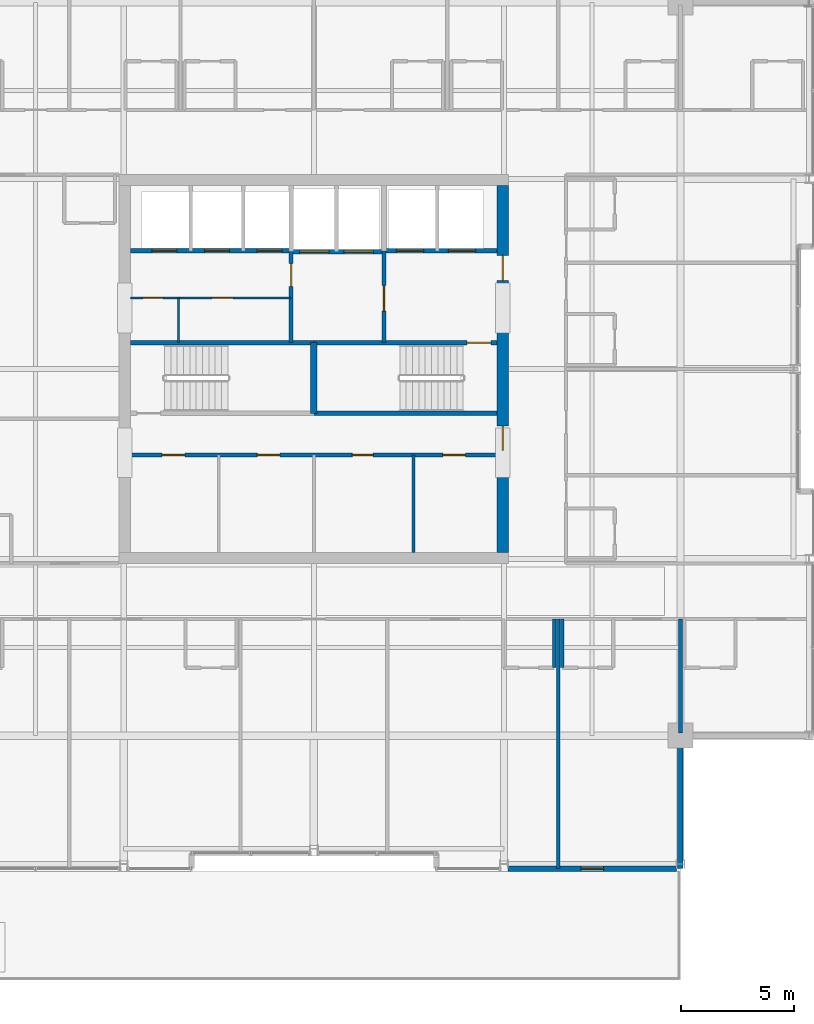
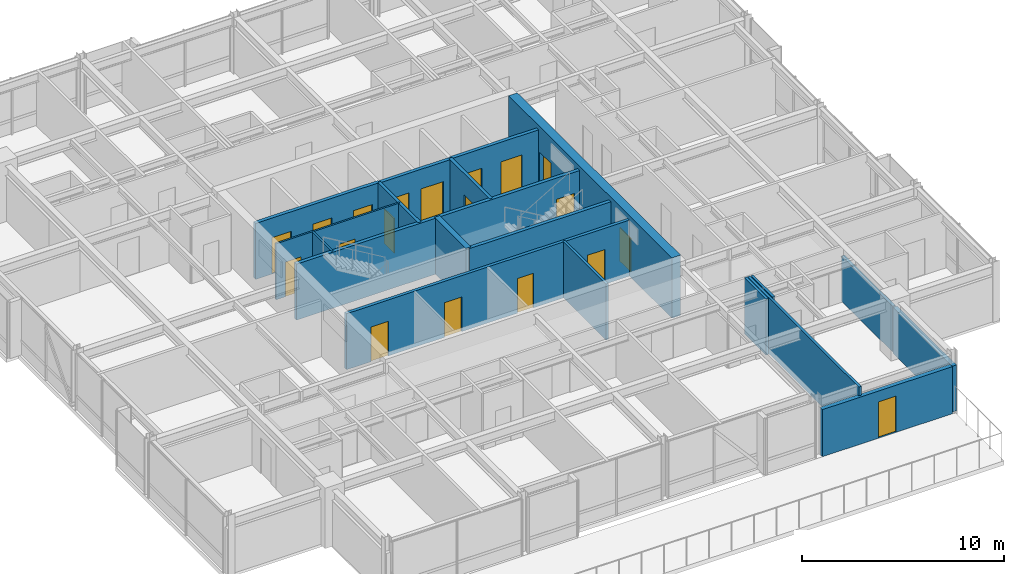
# One storey, part 26 of 32: 20 walls, 19 doors, 19 openings.
"""IFC4 building model written with IfcOpenShell, lengths in metres."""

import ifcopenshell
import ifcopenshell.guid

model = None  # the IFC model being written
_history = None  # IfcOwnerHistory: only IFC2X3 demands one
_inside = {}  # id of a spatial element -> (the spatial element, [elements in it])
_under = {}  # id of a project, library or spatial element -> (it, [spatial elements below it])
_declared = {}  # id of a project -> (the project, [libraries it declares])
_typed = {}  # id of a type object -> (the type object, [elements of that type])
_made_of = {}  # id of a material, layer set ... -> (it, [elements and type objects made of it])


def new_model(schema):
    """Start an empty IFC model of exactly this schema.

    Asked for "IFC4X3", IfcOpenShell would pick the latest addendum, in which some entities
    have other attributes; the version numbers below select the first issue.
    IFC2X3 requires an IfcOwnerHistory on every rooted entity: one is made here for all.
    """
    global model, _history
    if schema == "IFC4X3":
        model = ifcopenshell.file(schema_version=(4, 3, 0, 0))
    else:
        model = ifcopenshell.file(schema=schema)
    _inside.clear()
    _under.clear()
    _declared.clear()
    _typed.clear()
    _made_of.clear()
    _history = None
    if model.schema == "IFC2X3":
        org = make("IfcOrganization", Name="unknown")
        user = make(
            "IfcPersonAndOrganization",
            ThePerson=make("IfcPerson", FamilyName="unknown"),
            TheOrganization=org,
        )
        app = make(
            "IfcApplication",
            ApplicationDeveloper=org,
            Version="unknown",
            ApplicationFullName="unknown",
            ApplicationIdentifier="unknown",
        )
        _history = make(
            "IfcOwnerHistory",
            OwningUser=user,
            OwningApplication=app,
            ChangeAction="ADDED",
            CreationDate=0,
        )
    return model


def make(cls, **values):
    """One entity of the class cls with the attributes given. An attribute that is None is left unset."""
    return model.create_entity(
        cls, **{name: value for name, value in values.items() if value is not None}
    )


def rooted(cls, **values):
    """An entity with a GlobalId (a new one), such as an element, a storey or a relation."""
    return make(cls, GlobalId=ifcopenshell.guid.new(), OwnerHistory=_history, **values)


def si_unit(unit_type, name, prefix=None):
    """IfcSIUnit, for example si_unit("LENGTHUNIT", "METRE", prefix="MILLI")."""
    return make("IfcSIUnit", UnitType=unit_type, Prefix=prefix, Name=name)


def assignment(units):
    """IfcUnitAssignment: the units of a project."""
    return None if units is None else make("IfcUnitAssignment", Units=units)


def point(xyz):
    """IfcCartesianPoint."""
    return None if xyz is None else make("IfcCartesianPoint", Coordinates=xyz)


def direction(xyz):
    """IfcDirection."""
    return None if xyz is None else make("IfcDirection", DirectionRatios=xyz)


def frame(location, z_axis=None, x_axis=None):
    """IfcAxis2Placement3D, a coordinate frame: its origin and axes. An axis left out is left unset."""
    return make(
        "IfcAxis2Placement3D",
        Location=point(location),
        Axis=direction(z_axis),
        RefDirection=direction(x_axis),
    )


def frame_2d(location, x_axis=None):
    """IfcAxis2Placement2D, a coordinate frame in the plane: its origin and x axis."""
    return make(
        "IfcAxis2Placement2D", Location=point(location), RefDirection=direction(x_axis)
    )


def origin():
    """The frame at (0, 0, 0) with its axes left unset."""
    return frame((0.0, 0.0, 0.0))


def place(relative_to, where):
    """IfcLocalPlacement: puts the frame where relative to a parent placement (None: the world)."""
    return make(
        "IfcLocalPlacement", PlacementRelTo=relative_to, RelativePlacement=where
    )


def context(
    kind, dimensions, precision=None, world=None, true_north=None, identifier=None
):
    """IfcGeometricRepresentationContext, for example the 3D "Model" context."""
    return make(
        "IfcGeometricRepresentationContext",
        ContextIdentifier=identifier,
        ContextType=kind,
        CoordinateSpaceDimension=dimensions,
        Precision=precision,
        WorldCoordinateSystem=world,
        TrueNorth=true_north,
    )


def subcontext(parent, identifier, kind, view, scale=None):
    """IfcGeometricRepresentationSubContext, for example "Body" below "Model"."""
    return make(
        "IfcGeometricRepresentationSubContext",
        ContextIdentifier=identifier,
        ContextType=kind,
        ParentContext=parent,
        TargetScale=scale,
        TargetView=view,
    )


def project(units=None, contexts=None):
    """IfcProject with its units and contexts."""
    return rooted(
        "IfcProject",
        Name="project",
        RepresentationContexts=contexts,
        UnitsInContext=assignment(units),
    )


def spatial(cls, under=None, at=None, **own):
    """A site, building, storey or space (cls), placed at a placement, below another one or the project."""
    s = rooted(cls, ObjectPlacement=at, **own)
    if under is not None:
        _under.setdefault(under.id(), (under, []))[1].append(s)
    return s


def profile(cls, at=None, kind="AREA", **sizes):
    """A parametric profile (cls). Its sizes go by their IFC names, for example OverallWidth=200.0."""
    return make(cls, ProfileType=kind, Position=at, **sizes)


def rectangle(**sizes):
    """IfcRectangleProfileDef."""
    return profile("IfcRectangleProfileDef", **sizes)


def extrude(swept, where, along, depth):
    """IfcExtrudedAreaSolid: the profile swept, set in the frame where, extruded along a direction by depth."""
    return make(
        "IfcExtrudedAreaSolid",
        SweptArea=swept,
        Position=where,
        ExtrudedDirection=direction(along),
        Depth=depth,
    )


def shape(context_of_items, identifier, shape_type, items):
    """IfcShapeRepresentation: the items that make up one representation, for example the "Body"."""
    return make(
        "IfcShapeRepresentation",
        ContextOfItems=context_of_items,
        RepresentationIdentifier=identifier,
        RepresentationType=shape_type,
        Items=items,
    )


def material(Name=None, Category=None):
    """IfcMaterial."""
    return make("IfcMaterial", Name=Name, Category=Category)


def layer(
    of_material, thickness, ventilated=None, Name=None, Category=None, Priority=None
):
    """IfcMaterialLayer: one layer of a wall or slab, of a material (None: an air gap)."""
    return make(
        "IfcMaterialLayer",
        Material=of_material,
        LayerThickness=thickness,
        IsVentilated=ventilated,
        Name=Name,
        Category=Category,
        Priority=Priority,
    )


def layer_set(layers, Name=None):
    """IfcMaterialLayerSet."""
    return make("IfcMaterialLayerSet", MaterialLayers=layers, LayerSetName=Name)


def made_of(thing, what):
    """Note that an element or type object is made of a material, layer set ...; save() writes the relation."""
    if what is not None:
        _made_of.setdefault(what.id(), (what, []))[1].append(thing)
    return thing


def type_object(cls, material=None, **own):
    """A type object (cls), such as IfcWallType, which elements share."""
    return made_of(rooted(cls, **own), material)


def element(
    cls,
    number,
    at=None,
    inside=None,
    cuts=None,
    type_object=None,
    material=None,
    context=None,
    identifier="Body",
    shape_type=None,
    held_by="IfcProductDefinitionShape",
    body=None,
    shapes=None,
    **own,
):
    """One element of the class cls, such as IfcWall. Its Tag is "e" and its number.

    at: its placement. inside: the storey or other place that contains it. cuts: it is an
    opening in that element (IfcRelVoidsElement). A single representation is given by context,
    identifier, shape_type and body (its items); several are given by shapes. held_by: the class
    of the entity that holds the representations. save() writes the other relations.
    """
    e = rooted(cls, Tag="e%d" % number, ObjectPlacement=at, **own)
    if body is not None:
        shapes = [shape(context, identifier, shape_type, body)]
    if shapes is not None:
        e.Representation = make(held_by, Representations=shapes)
    if inside is not None:
        _inside.setdefault(inside.id(), (inside, []))[1].append(e)
    if cuts is not None:
        rooted(
            "IfcRelVoidsElement", RelatingBuildingElement=cuts, RelatedOpeningElement=e
        )
    if type_object is not None:
        _typed.setdefault(type_object.id(), (type_object, []))[1].append(e)
    return made_of(e, material)


def fill(opening, filler):
    """IfcRelFillsElement: the door or window that sits in an opening."""
    return rooted(
        "IfcRelFillsElement",
        RelatingOpeningElement=opening,
        RelatedBuildingElement=filler,
    )


def aggregate(whole, parts):
    """IfcRelAggregates: a whole, such as a stair, and the parts it consists of."""
    return rooted("IfcRelAggregates", RelatingObject=whole, RelatedObjects=parts)


def save(model, path):
    """Write the relations noted so far, then the file.

    IfcRelAggregates (storeys below a building ...), IfcRelContainedInSpatialStructure (elements
    in a storey), IfcRelDefinesByType, IfcRelAssociatesMaterial and IfcRelDeclares: one each for
    every whole, place, type object, material and project.
    """
    for whole, parts in _under.values():
        aggregate(whole, parts)
    for where, things in _inside.values():
        rooted(
            "IfcRelContainedInSpatialStructure",
            RelatedElements=things,
            RelatingStructure=where,
        )
    for kind, things in _typed.values():
        rooted("IfcRelDefinesByType", RelatedObjects=things, RelatingType=kind)
    for what, things in _made_of.values():
        rooted("IfcRelAssociatesMaterial", RelatedObjects=things, RelatingMaterial=what)
    for by, libraries in _declared.values():
        rooted("IfcRelDeclares", RelatingContext=by, RelatedDefinitions=libraries)
    model.write(path)


model = new_model("IFC4")

# Units and contexts
model_context = context("Model", 3, precision=1e-05, world=origin(), true_north=direction((0.0, 1.0)))
body_context = subcontext(model_context, "Body", "Model", "MODEL_VIEW")
ifc_project = project(units=[si_unit("LENGTHUNIT", "METRE"), si_unit("AREAUNIT", "SQUARE_METRE"), si_unit("VOLUMEUNIT", "CUBIC_METRE"), si_unit("PLANEANGLEUNIT", "RADIAN"), si_unit("MASSUNIT", "GRAM", prefix="KILO")], contexts=[model_context])

# Site, building, storey
site_placement = place(None, origin())
site = spatial("IfcSite", under=ifc_project, at=site_placement, CompositionType="ELEMENT")
building_placement = place(site_placement, origin())
building = spatial("IfcBuilding", under=site, at=building_placement, Name="Drelvath Grand Hotel", CompositionType="ELEMENT")
storey_placement = place(building_placement, frame((0.0, 0.0, 265.0)))
storey = spatial("IfcBuildingStorey", under=building, at=storey_placement, Name="L69", CompositionType="ELEMENT", Elevation=265.0)

# Wall, openings, doors
ifc_material_1 = material(Name="Gypsum Partition Board")
ifc_layer_1 = layer(ifc_material_1, 0.10009765625)
ifc_layer_set_1 = layer_set([ifc_layer_1], Name="Gypsum Partition Board")
wall_type_1 = type_object("IfcWallType", Name="Core Closet Partition 100", PredefinedType="PARTITIONING", material=ifc_layer_set_1)
wall_1_placement = place(storey_placement, frame((-8.10009765625, 30.139892578125, 0.0), z_axis=(0.0, 0.0, 1.0), x_axis=(1.0, 0.0, 0.0)))
wall_1 = element("IfcWall", 1, at=wall_1_placement, inside=storey, type_object=wall_type_1, Name="L69 High-Rise Lobby Closet Wall", PredefinedType="PARTITIONING", context=body_context, shape_type="SweptSolid", body=[
    extrude(rectangle(XDim=7.10009765625, YDim=0.10009765625, at=frame_2d((3.550048828125, 0.0))), origin(), (0.0, 0.0, 1.0), 3.389892578125),
])
opening_1_placement = place(wall_1_placement, frame((0.550048828125, 0.0, 0.0)))
opening_1 = element("IfcOpeningElement", 2, at=opening_1_placement, cuts=wall_1, Name="Opening D-T5G1-013", PredefinedType="OPENING", context=body_context, shape_type="SweptSolid", body=[
    extrude(rectangle(XDim=0.8798828125, YDim=2.10009765625, at=frame_2d((0.43994140625, 1.050048828125))), frame((0.0, 0.06005859375, 0.0), z_axis=(0.0, -1.0, 0.0), x_axis=(1.0, 0.0, 0.0)), (0.0, 0.0, 1.0), 0.1201171875),
])
opening_2_placement = place(wall_1_placement, frame((3.60009765625, 0.0, 0.0)))
opening_2 = element("IfcOpeningElement", 3, at=opening_2_placement, cuts=wall_1, Name="Opening D-T5G1-014", PredefinedType="OPENING", context=body_context, shape_type="SweptSolid", body=[
    extrude(rectangle(XDim=0.919921875, YDim=2.10009765625, at=frame_2d((0.4599609375, 1.050048828125))), frame((0.0, 0.06005859375, 0.0), z_axis=(0.0, -1.0, 0.0), x_axis=(1.0, 0.0, 0.0)), (0.0, 0.0, 1.0), 0.1201171875),
])
ifc_material_2 = material(Name="Hardwood Walnut Timber", Category="wood")
door_type_1 = type_object("IfcDoorType", Name="En-Suite Bathroom Door 880x2100", OperationType="NOTDEFINED", PredefinedType="DOOR", material=ifc_material_2)
door_1_placement = place(opening_1_placement, origin())
door_1 = element("IfcDoor", 4, at=door_1_placement, inside=storey, type_object=door_type_1, Name="L69 Low-Voltage Closet Door", OperationType="SINGLE_SWING_RIGHT", OverallHeight=2.10009765625, OverallWidth=0.8798828125, PredefinedType="DOOR", context=body_context, shape_type="SweptSolid", body=[
    extrude(rectangle(XDim=0.8798828125, YDim=2.10009765625, at=frame_2d((0.43994140625, 1.050048828125))), frame((0.0, 0.02490234375, 0.0), z_axis=(0.0, -1.0, 0.0), x_axis=(1.0, 0.0, 0.0)), (0.0, 0.0, 1.0), 0.050048828125),
])
fill(opening_1, door_1)
ifc_material_3 = material(Name="Painted Steel S275", Category="steel")
door_type_2 = type_object("IfcDoorType", Name="Staff Utility Door 920x2100", OperationType="NOTDEFINED", PredefinedType="DOOR", material=ifc_material_3)
door_2_placement = place(opening_2_placement, origin())
door_2 = element("IfcDoor", 5, at=door_2_placement, inside=storey, type_object=door_type_2, Name="L69 Telecom Distribution Door", OperationType="SINGLE_SWING_LEFT", OverallHeight=2.10009765625, OverallWidth=0.919921875, PredefinedType="DOOR", context=body_context, shape_type="SweptSolid", body=[
    extrude(rectangle(XDim=0.919921875, YDim=2.10009765625, at=frame_2d((0.4599609375, 1.050048828125))), frame((0.0, 0.02490234375, 0.0), z_axis=(0.0, -1.0, 0.0), x_axis=(1.0, 0.0, 0.0)), (0.0, 0.0, 1.0), 0.050048828125),
])
fill(opening_2, door_2)

# Wall
wall_2_placement = place(storey_placement, frame((-5.97998046875, 28.159912109375, 0.0), z_axis=(0.0, 0.0, 1.0), x_axis=(0.0, 1.0, 0.0)))
element("IfcWall", 6, at=wall_2_placement, inside=storey, type_object=wall_type_1, Name="L69 Core Closet Split 2", PredefinedType="PARTITIONING", context=body_context, shape_type="SweptSolid", body=[
    extrude(rectangle(XDim=1.97998046875, YDim=0.10009765625, at=frame_2d((0.989990234375, 0.0))), origin(), (0.0, 0.0, 1.0), 3.389892578125),
])

# Wall, openings, doors
ifc_material_4 = material(Name="Concrete C40/50", Category="concrete")
ifc_layer_2 = layer(ifc_material_4, 0.199951171875)
ifc_layer_set_2 = layer_set([ifc_layer_2], Name="Concrete C40/50")
wall_type_2 = type_object("IfcWallType", Name="Core Hoistway Fire Wall 200", PredefinedType="SOLIDWALL", material=ifc_layer_set_2)
wall_3_placement = place(storey_placement, frame((3.10009765625, 32.219970703125, 0.0), z_axis=(0.0, 0.0, 1.0), x_axis=(1.0, 0.0, 0.0)))
wall_3 = element("IfcWall", 7, at=wall_3_placement, inside=storey, type_object=wall_type_2, Name="L69 FSAE Hoistway Front Wall", PredefinedType="SOLIDWALL", context=body_context, shape_type="SweptSolid", body=[
    extrude(rectangle(XDim=5.0, YDim=0.199951171875, at=frame_2d((2.5, 0.0))), origin(), (0.0, 0.0, 1.0), 3.389892578125),
])
opening_3_placement = place(wall_3_placement, frame((0.550048828125, 0.0, 0.0)))
opening_3 = element("IfcOpeningElement", 8, at=opening_3_placement, cuts=wall_3, Name="Opening LD-FSAE-1", PredefinedType="OPENING", context=body_context, shape_type="SweptSolid", body=[
    extrude(rectangle(XDim=1.199951171875, YDim=2.199951171875, at=frame_2d((0.60009765625, 1.10009765625))), frame((0.0, 0.10986328125, 0.0), z_axis=(0.0, -1.0, 0.0), x_axis=(1.0, 0.0, 0.0)), (0.0, 0.0, 1.0), 0.219970703125),
])
opening_4_placement = place(wall_3_placement, frame((2.85009765625, 0.0, 0.0)))
opening_4 = element("IfcOpeningElement", 9, at=opening_4_placement, cuts=wall_3, Name="Opening LD-FSAE-2", PredefinedType="OPENING", context=body_context, shape_type="SweptSolid", body=[
    extrude(rectangle(XDim=1.199951171875, YDim=2.199951171875, at=frame_2d((0.60009765625, 1.10009765625))), frame((0.0, 0.10986328125, 0.0), z_axis=(0.0, -1.0, 0.0), x_axis=(1.0, 0.0, 0.0)), (0.0, 0.0, 1.0), 0.219970703125),
])
ifc_material_5 = material(Name="Stainless Steel S355", Category="steel")
door_type_3 = type_object("IfcDoorType", Name="FSAE Lift Sliding Landing Door 1200x2200", OperationType="NOTDEFINED", PredefinedType="DOOR", material=ifc_material_5)
door_3_placement = place(opening_3_placement, origin())
door_3 = element("IfcDoor", 10, at=door_3_placement, inside=storey, type_object=door_type_3, Name="L69 Lift FSAE-1 Landing Door", OperationType="SLIDING_TO_LEFT", OverallHeight=2.199951171875, OverallWidth=1.199951171875, PredefinedType="DOOR", context=body_context, shape_type="SweptSolid", body=[
    extrude(rectangle(XDim=1.199951171875, YDim=2.199951171875, at=frame_2d((0.60009765625, 1.10009765625))), frame((0.0, 0.02490234375, 0.0), z_axis=(0.0, -1.0, 0.0), x_axis=(1.0, 0.0, 0.0)), (0.0, 0.0, 1.0), 0.050048828125),
])
fill(opening_3, door_3)
door_4_placement = place(opening_4_placement, origin())
door_4 = element("IfcDoor", 11, at=door_4_placement, inside=storey, type_object=door_type_3, Name="L69 Lift FSAE-2 Landing Door", OperationType="SLIDING_TO_LEFT", OverallHeight=2.199951171875, OverallWidth=1.199951171875, PredefinedType="DOOR", context=body_context, shape_type="SweptSolid", body=[
    extrude(rectangle(XDim=1.199951171875, YDim=2.199951171875, at=frame_2d((0.60009765625, 1.10009765625))), frame((0.0, 0.02490234375, 0.0), z_axis=(0.0, -1.0, 0.0), x_axis=(1.0, 0.0, 0.0)), (0.0, 0.0, 1.0), 0.050048828125),
])
fill(opening_4, door_4)

wall_4_placement = place(storey_placement, frame((-1.0, 32.179931640625, 0.0), z_axis=(0.0, 0.0, 1.0), x_axis=(1.0, 0.0, 0.0)))
wall_4 = element("IfcWall", 12, at=wall_4_placement, inside=storey, type_object=wall_type_2, Name="L69 Service Lift Hoistway Wall", PredefinedType="SOLIDWALL", context=body_context, shape_type="SweptSolid", body=[
    extrude(rectangle(XDim=4.10009765625, YDim=0.199951171875, at=frame_2d((2.050048828125, 0.0))), origin(), (0.0, 0.0, 1.0), 3.389892578125),
])
opening_5_placement = place(wall_4_placement, frame((0.3701171875, 0.0, 0.0)))
opening_5 = element("IfcOpeningElement", 13, at=opening_5_placement, cuts=wall_4, Name="Opening LD-SV-2", PredefinedType="OPENING", context=body_context, shape_type="SweptSolid", body=[
    extrude(rectangle(XDim=1.300048828125, YDim=2.199951171875, at=frame_2d((0.64990234375, 1.10009765625))), frame((0.0, 0.10986328125, 0.0), z_axis=(0.0, -1.0, 0.0), x_axis=(1.0, 0.0, 0.0)), (0.0, 0.0, 1.0), 0.219970703125),
])
opening_6_placement = place(wall_4_placement, frame((2.330078125, 0.0, 0.0)))
opening_6 = element("IfcOpeningElement", 14, at=opening_6_placement, cuts=wall_4, Name="Opening LD-SV-1", PredefinedType="OPENING", context=body_context, shape_type="SweptSolid", body=[
    extrude(rectangle(XDim=1.300048828125, YDim=2.199951171875, at=frame_2d((0.64990234375, 1.10009765625))), frame((0.0, 0.10986328125, 0.0), z_axis=(0.0, -1.0, 0.0), x_axis=(1.0, 0.0, 0.0)), (0.0, 0.0, 1.0), 0.219970703125),
])
door_type_4 = type_object("IfcDoorType", Name="Service Lift Sliding Landing Door 1300x2200", OperationType="NOTDEFINED", PredefinedType="DOOR", material=ifc_material_5)
door_5_placement = place(opening_5_placement, origin())
door_5 = element("IfcDoor", 15, at=door_5_placement, inside=storey, type_object=door_type_4, Name="L69 Lift SV-2 Landing Door", OperationType="SLIDING_TO_LEFT", OverallHeight=2.199951171875, OverallWidth=1.300048828125, PredefinedType="DOOR", context=body_context, shape_type="SweptSolid", body=[
    extrude(rectangle(XDim=1.300048828125, YDim=2.199951171875, at=frame_2d((0.64990234375, 1.10009765625))), frame((0.0, 0.02490234375, 0.0), z_axis=(0.0, -1.0, 0.0), x_axis=(1.0, 0.0, 0.0)), (0.0, 0.0, 1.0), 0.050048828125),
])
fill(opening_5, door_5)
door_6_placement = place(opening_6_placement, origin())
door_6 = element("IfcDoor", 16, at=door_6_placement, inside=storey, type_object=door_type_4, Name="L69 Lift SV-1 Landing Door", OperationType="SLIDING_TO_LEFT", OverallHeight=2.199951171875, OverallWidth=1.300048828125, PredefinedType="DOOR", context=body_context, shape_type="SweptSolid", body=[
    extrude(rectangle(XDim=1.300048828125, YDim=2.199951171875, at=frame_2d((0.64990234375, 1.10009765625))), frame((0.0, 0.02490234375, 0.0), z_axis=(0.0, -1.0, 0.0), x_axis=(1.0, 0.0, 0.0)), (0.0, 0.0, 1.0), 0.050048828125),
])
fill(opening_6, door_6)

wall_5_placement = place(storey_placement, frame((-8.10009765625, 32.219970703125, 0.0), z_axis=(0.0, 0.0, 1.0), x_axis=(1.0, 0.0, 0.0)))
wall_5 = element("IfcWall", 17, at=wall_5_placement, inside=storey, type_object=wall_type_2, Name="L69 Bank 3 Hoistway Wall", PredefinedType="SOLIDWALL", context=body_context, shape_type="SweptSolid", body=[
    extrude(rectangle(XDim=7.10009765625, YDim=0.199951171875, at=frame_2d((3.550048828125, 0.0))), origin(), (0.0, 0.0, 1.0), 3.389892578125),
])
opening_7_placement = place(wall_5_placement, frame((0.949951171875, 0.0, 0.0)))
opening_7 = element("IfcOpeningElement", 18, at=opening_7_placement, cuts=wall_5, Name="Opening LD-PE-7", PredefinedType="OPENING", context=body_context, shape_type="SweptSolid", body=[
    extrude(rectangle(XDim=1.10009765625, YDim=2.199951171875, at=frame_2d((0.550048828125, 1.10009765625))), frame((0.0, 0.10986328125, 0.0), z_axis=(0.0, -1.0, 0.0), x_axis=(1.0, 0.0, 0.0)), (0.0, 0.0, 1.0), 0.219970703125),
])
opening_8_placement = place(wall_5_placement, frame((3.27001953125, 0.0, 0.0)))
opening_8 = element("IfcOpeningElement", 19, at=opening_8_placement, cuts=wall_5, Name="Opening LD-PE-8", PredefinedType="OPENING", context=body_context, shape_type="SweptSolid", body=[
    extrude(rectangle(XDim=1.10009765625, YDim=2.199951171875, at=frame_2d((0.550048828125, 1.10009765625))), frame((0.0, 0.10986328125, 0.0), z_axis=(0.0, -1.0, 0.0), x_axis=(1.0, 0.0, 0.0)), (0.0, 0.0, 1.0), 0.219970703125),
])
opening_9_placement = place(wall_5_placement, frame((5.590087890625, 0.0, 0.0)))
opening_9 = element("IfcOpeningElement", 20, at=opening_9_placement, cuts=wall_5, Name="Opening LD-PE-9", PredefinedType="OPENING", context=body_context, shape_type="SweptSolid", body=[
    extrude(rectangle(XDim=1.10009765625, YDim=2.199951171875, at=frame_2d((0.550048828125, 1.10009765625))), frame((0.0, 0.10986328125, 0.0), z_axis=(0.0, -1.0, 0.0), x_axis=(1.0, 0.0, 0.0)), (0.0, 0.0, 1.0), 0.219970703125),
])
door_type_5 = type_object("IfcDoorType", Name="Passenger Lift Sliding Landing Door 1100x2200", OperationType="NOTDEFINED", PredefinedType="DOOR", material=ifc_material_5)
door_7_placement = place(opening_7_placement, origin())
door_7 = element("IfcDoor", 21, at=door_7_placement, inside=storey, type_object=door_type_5, Name="L69 Lift PE-7 Landing Door", OperationType="SLIDING_TO_LEFT", OverallHeight=2.199951171875, OverallWidth=1.10009765625, PredefinedType="DOOR", context=body_context, shape_type="SweptSolid", body=[
    extrude(rectangle(XDim=1.10009765625, YDim=2.199951171875, at=frame_2d((0.550048828125, 1.10009765625))), frame((0.0, 0.02490234375, 0.0), z_axis=(0.0, -1.0, 0.0), x_axis=(1.0, 0.0, 0.0)), (0.0, 0.0, 1.0), 0.050048828125),
])
fill(opening_7, door_7)
door_8_placement = place(opening_8_placement, origin())
door_8 = element("IfcDoor", 22, at=door_8_placement, inside=storey, type_object=door_type_5, Name="L69 Lift PE-8 Landing Door", OperationType="SLIDING_TO_LEFT", OverallHeight=2.199951171875, OverallWidth=1.10009765625, PredefinedType="DOOR", context=body_context, shape_type="SweptSolid", body=[
    extrude(rectangle(XDim=1.10009765625, YDim=2.199951171875, at=frame_2d((0.550048828125, 1.10009765625))), frame((0.0, 0.02490234375, 0.0), z_axis=(0.0, -1.0, 0.0), x_axis=(1.0, 0.0, 0.0)), (0.0, 0.0, 1.0), 0.050048828125),
])
fill(opening_8, door_8)
door_9_placement = place(opening_9_placement, origin())
door_9 = element("IfcDoor", 23, at=door_9_placement, inside=storey, type_object=door_type_5, Name="L69 Lift PE-9 Landing Door", OperationType="SLIDING_TO_LEFT", OverallHeight=2.199951171875, OverallWidth=1.10009765625, PredefinedType="DOOR", context=body_context, shape_type="SweptSolid", body=[
    extrude(rectangle(XDim=1.10009765625, YDim=2.199951171875, at=frame_2d((0.550048828125, 1.10009765625))), frame((0.0, 0.02490234375, 0.0), z_axis=(0.0, -1.0, 0.0), x_axis=(1.0, 0.0, 0.0)), (0.0, 0.0, 1.0), 0.050048828125),
])
fill(opening_9, door_9)

# Walls
ifc_layer_3 = layer(ifc_material_4, 0.199951171875)
ifc_layer_set_3 = layer_set([ifc_layer_3], Name="Concrete C40/50")
wall_type_3 = type_object("IfcWallType", Name="Core Shaft Fire Wall 200", PredefinedType="SOLIDWALL", material=ifc_layer_set_3)
for number, where, z_axis, x_axis, name in (
    (24, (-8.10009765625, 28.159912109375, 0.0), (0.0, 0.0, 1.0), (1.0, 0.0, 0.0), "L69 Stair ST-1 North Wall"),
    (25, (0.0, 25.0400390625, 0.0), (0.0, 0.0, 1.0), (1.0, 0.0, 0.0), "L69 Stair ST-2 South Wall"),
):
    element("IfcWall", number, at=place(storey_placement, frame(where, z_axis=z_axis, x_axis=x_axis)), inside=storey, type_object=wall_type_3, Name=name, PredefinedType="SOLIDWALL", context=body_context, shape_type="SweptSolid", body=[
        extrude(rectangle(XDim=8.10009765625, YDim=0.199951171875, at=frame_2d((4.050048828125, 0.0))), origin(), (0.0, 0.0, 1.0), 3.389892578125),
    ])

# Wall, opening, door
wall_6_placement = place(storey_placement, frame((8.10009765625, 28.159912109375, 0.0), z_axis=(0.0, 0.0, 1.0), x_axis=(-1.0, 0.0, 0.0)))
wall_6 = element("IfcWall", 26, at=wall_6_placement, inside=storey, type_object=wall_type_3, Name="L69 Stair ST-2 North Wall", PredefinedType="SOLIDWALL", context=body_context, shape_type="SweptSolid", body=[
    extrude(rectangle(XDim=8.10009765625, YDim=0.199951171875, at=frame_2d((4.050048828125, 0.0))), origin(), (0.0, 0.0, 1.0), 3.389892578125),
])
opening_10_placement = place(wall_6_placement, frame((0.280029296875, 0.0, 0.0)))
opening_10 = element("IfcOpeningElement", 27, at=opening_10_placement, cuts=wall_6, Name="Opening D-T5G1-002", PredefinedType="OPENING", context=body_context, shape_type="SweptSolid", body=[
    extrude(rectangle(XDim=1.050048828125, YDim=2.10009765625, at=frame_2d((0.52490234375, 1.050048828125))), frame((0.0, 0.10986328125, 0.0), z_axis=(0.0, -1.0, 0.0), x_axis=(1.0, 0.0, 0.0)), (0.0, 0.0, 1.0), 0.219970703125),
])
door_type_6 = type_object("IfcDoorType", Name="Tower Stairwell Fire Door 1050x2100", OperationType="NOTDEFINED", PredefinedType="DOOR", material=ifc_material_3)
door_10_placement = place(opening_10_placement, origin())
door_10 = element("IfcDoor", 28, at=door_10_placement, inside=storey, type_object=door_type_6, Name="L69 Exit Stair ST-2 Door", OperationType="SINGLE_SWING_LEFT", OverallHeight=2.10009765625, OverallWidth=1.050048828125, PredefinedType="DOOR", context=body_context, shape_type="SweptSolid", body=[
    extrude(rectangle(XDim=1.050048828125, YDim=2.10009765625, at=frame_2d((0.52490234375, 1.050048828125))), frame((0.0, 0.02490234375, 0.0), z_axis=(0.0, -1.0, 0.0), x_axis=(1.0, 0.0, 0.0)), (0.0, 0.0, 1.0), 0.050048828125),
])
fill(opening_10, door_10)

# Walls
ifc_layer_4 = layer(ifc_material_4, 0.300048828125)
ifc_layer_set_4 = layer_set([ifc_layer_4], Name="Concrete C40/50")
wall_type_4 = type_object("IfcWallType", Name="Core Shaft Fire Wall 300", PredefinedType="SOLIDWALL", material=ifc_layer_set_4)
wall_7_placement = place(storey_placement, frame((0.0, 25.0400390625, 0.0), z_axis=(0.0, 0.0, 1.0), x_axis=(0.0, 1.0, 0.0)))
element("IfcWall", 29, at=wall_7_placement, inside=storey, type_object=wall_type_4, Name="L69 Core Stair Divider Wall", PredefinedType="SOLIDWALL", context=body_context, shape_type="SweptSolid", body=[
    extrude(rectangle(XDim=3.119873046875, YDim=0.300048828125, at=frame_2d((1.56005859375, 0.0))), origin(), (0.0, 0.0, 1.0), 3.389892578125),
])
ifc_material_6 = material(Name="Moisture-Resistant Gypsum Board")
ifc_layer_5 = layer(ifc_material_6, 0.139892578125)
ifc_layer_set_5 = layer_set([ifc_layer_5], Name="Moisture-Resistant Gypsum Board")
wall_type_5 = type_object("IfcWallType", Name="En-Suite Plumbing Wall 140", PredefinedType="PLUMBINGWALL", material=ifc_layer_set_5)
wall_8_placement = place(storey_placement, frame((4.39990234375, 18.89990234375, 0.0), z_axis=(0.0, 0.0, 1.0), x_axis=(0.0, 1.0, 0.0)))
element("IfcWall", 30, at=wall_8_placement, inside=storey, type_object=wall_type_5, Name="L69 Upper Core Split 2C", PredefinedType="PLUMBINGWALL", context=body_context, shape_type="SweptSolid", body=[
    extrude(rectangle(XDim=4.300048828125, YDim=0.139892578125, at=frame_2d((2.14990234375, 0.0))), origin(), (0.0, 0.0, 1.0), 3.389892578125),
])
for number, where, z_axis, x_axis, name in (
    (31, (10.6201171875, 15.949951171875, 0.0), (0.0, 0.0, 1.0), (0.0, -1.0, 0.0), "L69 En-Suite Right Wall"),
    (32, (10.97998046875, 15.949951171875, 0.0), (0.0, 0.0, 1.0), (0.0, -1.0, 0.0), "L69 En-Suite Left Wall"),
):
    element("IfcWall", number, at=place(storey_placement, frame(where, z_axis=z_axis, x_axis=x_axis)), inside=storey, type_object=wall_type_5, Name=name, PredefinedType="PLUMBINGWALL", context=body_context, shape_type="SweptSolid", body=[
        extrude(rectangle(XDim=2.14990234375, YDim=0.139892578125, at=frame_2d((1.074951171875, 0.0))), origin(), (0.0, 0.0, 1.0), 3.389892578125),
    ])

# Wall, opening, door
ifc_material_7 = material(Name="Gypsum Fireboard Partition")
ifc_layer_6 = layer(ifc_material_7, 0.179931640625)
ifc_layer_set_6 = layer_set([ifc_layer_6], Name="Gypsum Fireboard Partition")
wall_type_6 = type_object("IfcWallType", Name="FSAE Smoke Lobby Fire Wall 180", PredefinedType="SOLIDWALL", material=ifc_layer_set_6)
wall_9_placement = place(storey_placement, frame((3.10009765625, 28.159912109375, 0.0), z_axis=(0.0, 0.0, 1.0), x_axis=(0.0, 1.0, 0.0)))
wall_9 = element("IfcWall", 33, at=wall_9_placement, inside=storey, type_object=wall_type_6, Name="L69 FSAE Smoke Lobby West Wall", PredefinedType="SOLIDWALL", context=body_context, shape_type="SweptSolid", body=[
    extrude(rectangle(XDim=4.06005859375, YDim=0.179931640625, at=frame_2d((2.030029296875, 0.0))), origin(), (0.0, 0.0, 1.0), 3.389892578125),
])
opening_11_placement = place(wall_9_placement, frame((1.39990234375, 0.0, 0.0)))
opening_11 = element("IfcOpeningElement", 34, at=opening_11_placement, cuts=wall_9, Name="Opening D-T5G1-005", PredefinedType="OPENING", context=body_context, shape_type="SweptSolid", body=[
    extrude(rectangle(XDim=1.1201171875, YDim=2.10009765625, at=frame_2d((0.56005859375, 1.050048828125))), frame((0.0, 0.099853515625, 0.0), z_axis=(0.0, -1.0, 0.0), x_axis=(1.0, 0.0, 0.0)), (0.0, 0.0, 1.0), 0.199951171875),
])
door_type_7 = type_object("IfcDoorType", Name="FSAE Smoke Lobby Fire Door 1120x2100", OperationType="NOTDEFINED", PredefinedType="DOOR", material=ifc_material_3)
door_11_placement = place(opening_11_placement, origin())
door_11 = element("IfcDoor", 35, at=door_11_placement, inside=storey, type_object=door_type_7, Name="L69 FSAE Lobby Service Vestibule Door", OperationType="SINGLE_SWING_RIGHT", OverallHeight=2.10009765625, OverallWidth=1.1201171875, PredefinedType="DOOR", context=body_context, shape_type="SweptSolid", body=[
    extrude(rectangle(XDim=1.1201171875, YDim=2.10009765625, at=frame_2d((0.56005859375, 1.050048828125))), frame((0.0, 0.02490234375, 0.0), z_axis=(0.0, -1.0, 0.0), x_axis=(1.0, 0.0, 0.0)), (0.0, 0.0, 1.0), 0.050048828125),
])
fill(opening_11, door_11)

wall_10_placement = place(storey_placement, frame((-1.0, 28.159912109375, 0.0), z_axis=(0.0, 0.0, 1.0), x_axis=(0.0, 1.0, 0.0)))
wall_10 = element("IfcWall", 36, at=wall_10_placement, inside=storey, type_object=wall_type_6, Name="L69 Service Vestibule West Wall", PredefinedType="SOLIDWALL", context=body_context, shape_type="SweptSolid", body=[
    extrude(rectangle(XDim=4.02001953125, YDim=0.179931640625, at=frame_2d((2.010009765625, 0.0))), origin(), (0.0, 0.0, 1.0), 3.389892578125),
])
opening_12_placement = place(wall_10_placement, frame((2.489990234375, 0.0, 0.0)))
opening_12 = element("IfcOpeningElement", 37, at=opening_12_placement, cuts=wall_10, Name="Opening D-T5G1-009", PredefinedType="OPENING", context=body_context, shape_type="SweptSolid", body=[
    extrude(rectangle(XDim=1.0, YDim=2.10009765625, at=frame_2d((0.5, 1.050048828125))), frame((0.0, 0.099853515625, 0.0), z_axis=(0.0, -1.0, 0.0), x_axis=(1.0, 0.0, 0.0)), (0.0, 0.0, 1.0), 0.199951171875),
])
door_type_8 = type_object("IfcDoorType", Name="Core Service Fire Door 1000x2100", OperationType="NOTDEFINED", PredefinedType="DOOR", material=ifc_material_3)
door_12_placement = place(opening_12_placement, origin())
door_12 = element("IfcDoor", 38, at=door_12_placement, inside=storey, type_object=door_type_8, Name="L69 Service Vestibule West Door", OperationType="SINGLE_SWING_LEFT", OverallHeight=2.10009765625, OverallWidth=1.0, PredefinedType="DOOR", context=body_context, shape_type="SweptSolid", body=[
    extrude(rectangle(XDim=1.0, YDim=2.10009765625, at=frame_2d((0.5, 1.050048828125))), frame((0.0, 0.02490234375, 0.0), z_axis=(0.0, -1.0, 0.0), x_axis=(1.0, 0.0, 0.0)), (0.0, 0.0, 1.0), 0.050048828125),
])
fill(opening_12, door_12)

# Wall, openings, doors
wall_11_placement = place(storey_placement, frame((-8.10009765625, 23.199951171875, 0.0), z_axis=(0.0, 0.0, 1.0), x_axis=(1.0, 0.0, 0.0)))
wall_11 = element("IfcWall", 39, at=wall_11_placement, inside=storey, type_object=wall_type_6, Name="L69 Upper Reclaimed Core Wall", PredefinedType="SOLIDWALL", context=body_context, shape_type="SweptSolid", body=[
    extrude(rectangle(XDim=16.2001953125, YDim=0.179931640625, at=frame_2d((8.10009765625, 0.0))), origin(), (0.0, 0.0, 1.0), 3.389892578125),
])
opening_13_placement = place(wall_11_placement, frame((1.39990234375, 0.0, 0.0)))
opening_13 = element("IfcOpeningElement", 40, at=opening_13_placement, cuts=wall_11, Name="Opening D-T5G1-016", PredefinedType="OPENING", context=body_context, shape_type="SweptSolid", body=[
    extrude(rectangle(XDim=1.0, YDim=2.10009765625, at=frame_2d((0.5, 1.050048828125))), frame((0.0, 0.099853515625, 0.0), z_axis=(0.0, -1.0, 0.0), x_axis=(1.0, 0.0, 0.0)), (0.0, 0.0, 1.0), 0.199951171875),
])
opening_14_placement = place(wall_11_placement, frame((5.60009765625, 0.0, 0.0)))
opening_14 = element("IfcOpeningElement", 41, at=opening_14_placement, cuts=wall_11, Name="Opening D-T5G1-017", PredefinedType="OPENING", context=body_context, shape_type="SweptSolid", body=[
    extrude(rectangle(XDim=1.0, YDim=2.10009765625, at=frame_2d((0.5, 1.050048828125))), frame((0.0, 0.099853515625, 0.0), z_axis=(0.0, -1.0, 0.0), x_axis=(1.0, 0.0, 0.0)), (0.0, 0.0, 1.0), 0.199951171875),
])
opening_15_placement = place(wall_11_placement, frame((9.800048828125, 0.0, 0.0)))
opening_15 = element("IfcOpeningElement", 42, at=opening_15_placement, cuts=wall_11, Name="Opening D-T5G1-018", PredefinedType="OPENING", context=body_context, shape_type="SweptSolid", body=[
    extrude(rectangle(XDim=0.919921875, YDim=2.10009765625, at=frame_2d((0.4599609375, 1.050048828125))), frame((0.0, 0.099853515625, 0.0), z_axis=(0.0, -1.0, 0.0), x_axis=(1.0, 0.0, 0.0)), (0.0, 0.0, 1.0), 0.199951171875),
])
opening_16_placement = place(wall_11_placement, frame((13.800048828125, 0.0, 0.0)))
opening_16 = element("IfcOpeningElement", 43, at=opening_16_placement, cuts=wall_11, Name="Opening D-T5G1-019", PredefinedType="OPENING", context=body_context, shape_type="SweptSolid", body=[
    extrude(rectangle(XDim=1.0, YDim=2.10009765625, at=frame_2d((0.5, 1.050048828125))), frame((0.0, 0.099853515625, 0.0), z_axis=(0.0, -1.0, 0.0), x_axis=(1.0, 0.0, 0.0)), (0.0, 0.0, 1.0), 0.199951171875),
])
door_13_placement = place(opening_13_placement, origin())
door_13 = element("IfcDoor", 44, at=door_13_placement, inside=storey, type_object=door_type_8, Name="L69 Housekeeping Door", OperationType="SINGLE_SWING_LEFT", OverallHeight=2.10009765625, OverallWidth=1.0, PredefinedType="DOOR", context=body_context, shape_type="SweptSolid", body=[
    extrude(rectangle(XDim=1.0, YDim=2.10009765625, at=frame_2d((0.5, 1.050048828125))), frame((0.0, 0.02490234375, 0.0), z_axis=(0.0, -1.0, 0.0), x_axis=(1.0, 0.0, 0.0)), (0.0, 0.0, 1.0), 0.050048828125),
])
fill(opening_13, door_13)
door_14_placement = place(opening_14_placement, origin())
door_14 = element("IfcDoor", 45, at=door_14_placement, inside=storey, type_object=door_type_8, Name="L69 Valet Door", OperationType="SINGLE_SWING_RIGHT", OverallHeight=2.10009765625, OverallWidth=1.0, PredefinedType="DOOR", context=body_context, shape_type="SweptSolid", body=[
    extrude(rectangle(XDim=1.0, YDim=2.10009765625, at=frame_2d((0.5, 1.050048828125))), frame((0.0, 0.02490234375, 0.0), z_axis=(0.0, -1.0, 0.0), x_axis=(1.0, 0.0, 0.0)), (0.0, 0.0, 1.0), 0.050048828125),
])
fill(opening_14, door_14)
door_15_placement = place(opening_15_placement, origin())
door_15 = element("IfcDoor", 46, at=door_15_placement, inside=storey, type_object=door_type_8, Name="L69 Staff WC Door", OperationType="SINGLE_SWING_LEFT", OverallHeight=2.10009765625, OverallWidth=0.919921875, PredefinedType="DOOR", context=body_context, shape_type="SweptSolid", body=[
    extrude(rectangle(XDim=0.919921875, YDim=2.10009765625, at=frame_2d((0.4599609375, 1.050048828125))), frame((0.0, 0.02490234375, 0.0), z_axis=(0.0, -1.0, 0.0), x_axis=(1.0, 0.0, 0.0)), (0.0, 0.0, 1.0), 0.050048828125),
])
fill(opening_15, door_15)
door_16_placement = place(opening_16_placement, origin())
door_16 = element("IfcDoor", 47, at=door_16_placement, inside=storey, type_object=door_type_8, Name="L69 Telecom Door", OperationType="SINGLE_SWING_RIGHT", OverallHeight=2.10009765625, OverallWidth=1.0, PredefinedType="DOOR", context=body_context, shape_type="SweptSolid", body=[
    extrude(rectangle(XDim=1.0, YDim=2.10009765625, at=frame_2d((0.5, 1.050048828125))), frame((0.0, 0.02490234375, 0.0), z_axis=(0.0, -1.0, 0.0), x_axis=(1.0, 0.0, 0.0)), (0.0, 0.0, 1.0), 0.050048828125),
])
fill(opening_16, door_16)

# Walls
ifc_material_8 = material(Name="Gypsum Acoustic Partition")
ifc_layer_7 = layer(ifc_material_8, 0.14990234375)
ifc_layer_set_7 = layer_set([ifc_layer_7], Name="Gypsum Acoustic Partition")
wall_type_7 = type_object("IfcWallType", Name="Guestroom Demising Wall 150", PredefinedType="PARTITIONING", material=ifc_layer_set_7)
wall_12_placement = place(storey_placement, frame((10.800048828125, 4.919921875, 0.0), z_axis=(0.0, 0.0, 1.0), x_axis=(0.0, 1.0, 0.0)))
element("IfcWall", 48, at=wall_12_placement, inside=storey, type_object=wall_type_7, Name="L69 South Demising 4", PredefinedType="PARTITIONING", context=body_context, shape_type="SweptSolid", body=[
    extrude(rectangle(XDim=11.030029296875, YDim=0.14990234375, at=frame_2d((5.51513671875, 0.0))), origin(), (0.0, 0.0, 1.0), 3.389892578125),
])
ifc_layer_8 = layer(ifc_material_8, 0.1650390625)
ifc_layer_set_8 = layer_set([ifc_layer_8], Name="Gypsum Acoustic Partition")
wall_type_8 = type_object("IfcWallType", Name="Suite Demising Wall 165", PredefinedType="PARTITIONING", material=ifc_layer_set_8)
wall_13_placement = place(storey_placement, frame((16.199951171875, 10.919921875, 0.0), z_axis=(0.0, 0.0, 1.0), x_axis=(0.0, 1.0, 0.0)))
element("IfcWall", 49, at=wall_13_placement, inside=storey, type_object=wall_type_8, Name="L69 SE Suite Wall", PredefinedType="PARTITIONING", context=body_context, shape_type="SweptSolid", body=[
    extrude(rectangle(XDim=5.030029296875, YDim=0.1650390625, at=frame_2d((2.51513671875, 0.0))), origin(), (0.0, 0.0, 1.0), 2.763916015625),
])

# Wall, opening, door
ifc_material_9 = material(Name="Pale-Metal Insulated Aluminium Spandrel Assembly", Category="aluminium")
ifc_layer_9 = layer(ifc_material_9, 0.239990234375)
ifc_layer_set_9 = layer_set([ifc_layer_9], Name="Pale-Metal Insulated Aluminium Spandrel Assembly")
wall_type_9 = type_object("IfcWallType", Name="Tower Insulated Metal Spandrel Closure Wall 240", PredefinedType="STANDARD", material=ifc_layer_set_9)
wall_14_placement = place(storey_placement, frame((16.021728515625, 4.919921875, 0.0), z_axis=(0.0, 0.0, 1.0), x_axis=(-1.0, 0.0, 0.0)))
wall_14 = element("IfcWall", 50, at=wall_14_placement, inside=storey, type_object=wall_type_9, Name="L69 Exterior Terrace Door Bay Wall SE2", PredefinedType="STANDARD", context=body_context, shape_type="SweptSolid", body=[
    extrude(rectangle(XDim=7.443603515625, YDim=0.239990234375, at=frame_2d((3.7216796875, 0.0))), origin(), (0.0, 0.0, 1.0), 2.853271484375),
])
opening_17_placement = place(wall_14_placement, frame((3.2216796875, 0.0, 0.0)))
opening_17 = element("IfcOpeningElement", 51, at=opening_17_placement, cuts=wall_14, Name="Opening TD-1000", PredefinedType="OPENING", context=body_context, shape_type="SweptSolid", body=[
    extrude(rectangle(XDim=1.0, YDim=2.199951171875, at=frame_2d((0.5, 1.10009765625))), frame((0.0, 0.1298828125, 0.0), z_axis=(0.0, -1.0, 0.0), x_axis=(1.0, 0.0, 0.0)), (0.0, 0.0, 1.0), 0.260009765625),
])
ifc_material_10 = material(Name="Anodised Aluminium Thermally Broken Glazed Door", Category="aluminium")
door_type_9 = type_object("IfcDoorType", Name="Terrace and Tree Balcony Glazed Door 1000x2200", OperationType="NOTDEFINED", PredefinedType="DOOR", material=ifc_material_10)
door_17_placement = place(opening_17_placement, origin())
door_17 = element("IfcDoor", 52, at=door_17_placement, inside=storey, type_object=door_type_9, Name="L69 Setback Terrace Door DOOR-L69-TERR-1", OperationType="SINGLE_SWING_LEFT", OverallHeight=2.199951171875, OverallWidth=1.0, PredefinedType="DOOR", context=body_context, shape_type="SweptSolid", body=[
    extrude(rectangle(XDim=1.0, YDim=2.199951171875, at=frame_2d((0.5, 1.10009765625))), frame((0.0, 0.02490234375, 0.0), z_axis=(0.0, -1.0, 0.0), x_axis=(1.0, 0.0, 0.0)), (0.0, 0.0, 1.0), 0.050048828125),
])
fill(opening_17, door_17)

# Wall
wall_15_placement = place(storey_placement, frame((16.199951171875, 10.800048828125, 0.0), z_axis=(0.0, 0.0, 1.0), x_axis=(0.0, -1.0, 0.0)))
element("IfcWall", 53, at=wall_15_placement, inside=storey, type_object=wall_type_9, Name="L69 Notched Corner Return Spandrel Wall CSE2", PredefinedType="STANDARD", context=body_context, shape_type="SweptSolid", body=[
    extrude(rectangle(XDim=5.880126953125, YDim=0.239990234375, at=frame_2d((2.93994140625, 0.0))), origin(), (0.0, 0.0, 1.0), 2.779052734375),
])

# Wall, openings, doors
ifc_material_11 = material(Name="Concrete f'c 55 MPa", Category="concrete")
ifc_layer_10 = layer(ifc_material_11, 0.5)
ifc_layer_set_10 = layer_set([ifc_layer_10], Name="Concrete f'c 55 MPa")
wall_type_10 = type_object("IfcWallType", Name="Upper Core RC Shear Wall 500", PredefinedType="SHEAR", material=ifc_layer_set_10)
wall_16_placement = place(storey_placement, frame((8.35009765625, 35.10009765625, 0.0), z_axis=(0.0, 0.0, 1.0), x_axis=(0.0, -1.0, 0.0)))
wall_16 = element("IfcWall", 54, at=wall_16_placement, inside=storey, type_object=wall_type_10, Name="L69 Central Core Shear Wall E", PredefinedType="SHEAR", context=body_context, shape_type="SweptSolid", body=[
    extrude(rectangle(XDim=16.2001953125, YDim=0.5, at=frame_2d((8.10009765625, 0.0))), origin(), (0.0, 0.0, 1.0), 3.64990234375),
])
opening_18_placement = place(wall_16_placement, frame((3.080078125, 0.0, 0.0)))
opening_18 = element("IfcOpeningElement", 55, at=opening_18_placement, cuts=wall_16, Name="Opening D-T5G1-006", PredefinedType="OPENING", context=body_context, shape_type="SweptSolid", body=[
    extrude(rectangle(XDim=1.1201171875, YDim=2.10009765625, at=frame_2d((0.56005859375, 1.050048828125))), frame((0.0, 0.260009765625, 0.0), z_axis=(0.0, -1.0, 0.0), x_axis=(1.0, 0.0, 0.0)), (0.0, 0.0, 1.0), 0.52001953125),
])
opening_19_placement = place(wall_16_placement, frame((10.6201171875, 0.0, 0.0)))
opening_19 = element("IfcOpeningElement", 56, at=opening_19_placement, cuts=wall_16, Name="Opening D-T5G1-015", PredefinedType="OPENING", context=body_context, shape_type="SweptSolid", body=[
    extrude(rectangle(XDim=1.080078125, YDim=2.0400390625, at=frame_2d((0.5400390625, 1.02001953125))), frame((0.0, 0.260009765625, 0.0), z_axis=(0.0, -1.0, 0.0), x_axis=(1.0, 0.0, 0.0)), (0.0, 0.0, 1.0), 0.52001953125),
])
door_type_10 = type_object("IfcDoorType", Name="Core Corridor Fire Door 1080x2100", OperationType="NOTDEFINED", PredefinedType="DOOR", material=ifc_material_3)
door_18_placement = place(opening_19_placement, origin())
door_18 = element("IfcDoor", 57, at=door_18_placement, inside=storey, type_object=door_type_10, Name="L69 Core Passage East Door", OperationType="SINGLE_SWING_RIGHT", OverallHeight=2.0400390625, OverallWidth=1.080078125, PredefinedType="DOOR", context=body_context, shape_type="SweptSolid", body=[
    extrude(rectangle(XDim=1.080078125, YDim=2.0400390625, at=frame_2d((0.5400390625, 1.02001953125))), frame((0.0, 0.02490234375, 0.0), z_axis=(0.0, -1.0, 0.0), x_axis=(1.0, 0.0, 0.0)), (0.0, 0.0, 1.0), 0.050048828125),
])
fill(opening_19, door_18)
door_19_placement = place(opening_18_placement, origin())
door_19 = element("IfcDoor", 58, at=door_19_placement, inside=storey, type_object=door_type_7, Name="L69 FSAE Lobby East Corridor Door", OperationType="SINGLE_SWING_LEFT", OverallHeight=2.10009765625, OverallWidth=1.1201171875, PredefinedType="DOOR", context=body_context, shape_type="SweptSolid", body=[
    extrude(rectangle(XDim=1.1201171875, YDim=2.10009765625, at=frame_2d((0.56005859375, 1.050048828125))), frame((0.0, 0.02490234375, 0.0), z_axis=(0.0, -1.0, 0.0), x_axis=(1.0, 0.0, 0.0)), (0.0, 0.0, 1.0), 0.050048828125),
])
fill(opening_18, door_19)

save(model, "model.ifc")
